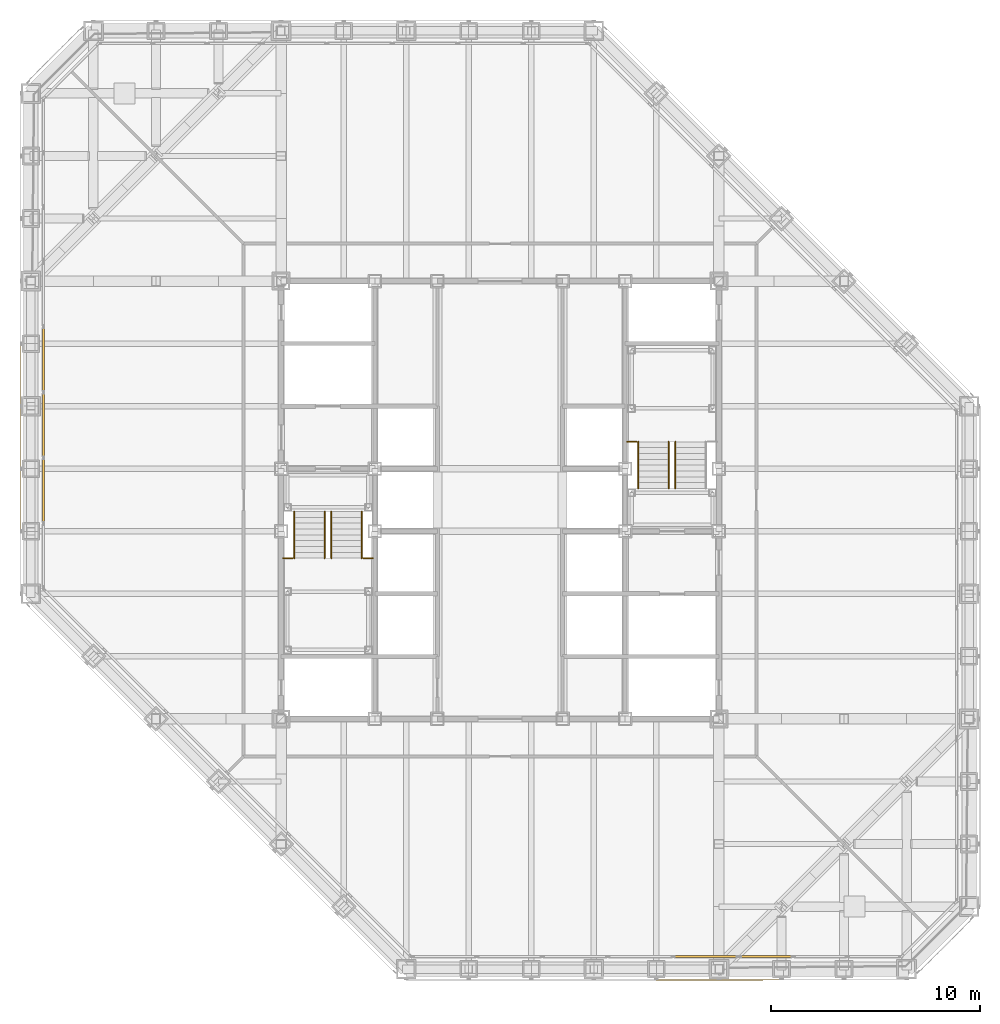
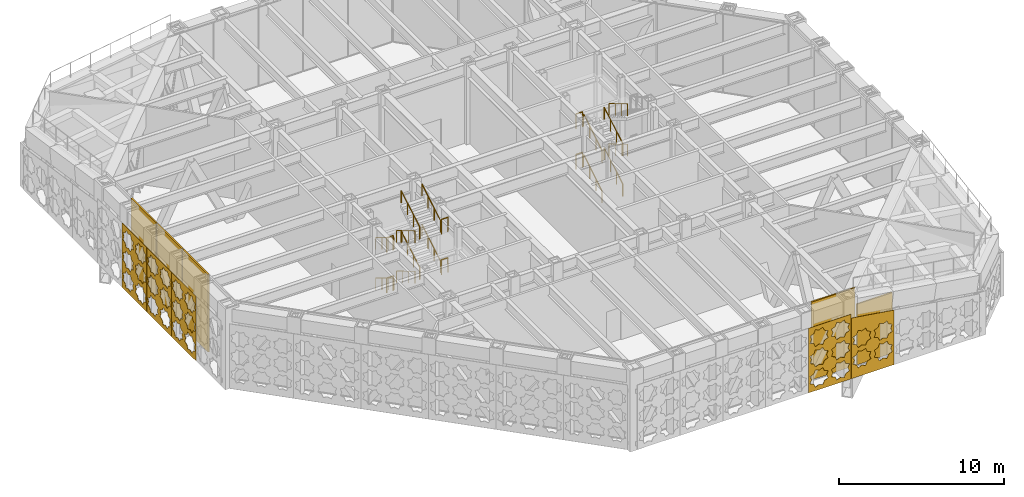
# One storey, part 23 of 28: 20 railings, 5 coverings, 5 shading devices, 3 elements without a shape of their own.
"""IFC4 building model written with IfcOpenShell, lengths in metres."""

from ifc_helpers import new_model, si_unit, direction, frame, origin, origin_2d, place, context, subcontext, project, spatial, polyline, rectangle, circle, outline, extrude, material, layer, layer_set, type_object, element, aggregate, save


model = new_model("IFC4")

# Units and contexts
model_context = context("Model", 3, precision=1e-05, world=origin(), true_north=direction((0.0, 1.0)))
body_context = subcontext(model_context, "Body", "Model", "MODEL_VIEW")
ifc_project = project(units=[si_unit("LENGTHUNIT", "METRE"), si_unit("AREAUNIT", "SQUARE_METRE"), si_unit("VOLUMEUNIT", "CUBIC_METRE"), si_unit("PLANEANGLEUNIT", "RADIAN"), si_unit("MASSUNIT", "GRAM", prefix="KILO")], contexts=[model_context])

# Site, building, storey
site_placement = place(None, origin())
site = spatial("IfcSite", under=ifc_project, at=site_placement, CompositionType="ELEMENT")
building_placement = place(site_placement, origin())
building = spatial("IfcBuilding", under=site, at=building_placement, Name="Chuquiago Exchange Tower", CompositionType="ELEMENT")
storey_placement = place(building_placement, frame((0.0, 0.0, 174.0)))
storey = spatial("IfcBuildingStorey", under=building, at=storey_placement, Name="L38", CompositionType="ELEMENT", Elevation=174.0)

# Curtain wall, shading device
ifc_material_1 = material(Name="Aluminium curtain wall system", Category="aluminium")
ifc_layer_1 = layer(ifc_material_1, 0.199951171875)
ifc_layer_set_1 = layer_set([ifc_layer_1], Name="CW6 plant floor louvre wall")
curtain_wall_type = type_object("IfcCurtainWallType", Name="CW6 plant floor louvre wall", PredefinedType="NOTDEFINED", material=ifc_layer_set_1)
curtain_wall_1_placement = place(storey_placement, origin())
curtain_wall_1 = element("IfcCurtainWall", 1, at=curtain_wall_1_placement, inside=storey, type_object=curtain_wall_type, Name="CW6 curtain wall L38", PredefinedType="NOTDEFINED")
ifc_material_2 = material(Name="Aluminium louvre", Category="aluminium")
ifc_layer_2 = layer(ifc_material_2, 0.10009765625)
ifc_layer_set_2 = layer_set([ifc_layer_2], Name="CW6-P louvre panel 100")
shading_device_type = type_object("IfcShadingDeviceType", Name="CW6-P louvre panel 100", PredefinedType="USERDEFINED", material=ifc_layer_set_2)
shading_device_1_placement = place(storey_placement, frame((32.3642578125, 0.60009765625, 0.0751953125), z_axis=(0.0, 0.0, 1.0), x_axis=(1.0, 0.0, 0.0)))
shading_device_1 = element("IfcShadingDevice", 2, at=shading_device_1_placement, type_object=shading_device_type, Name="CW6 panel 5.1", ObjectType="LOUVER", PredefinedType="USERDEFINED", context=body_context, shape_type="SweptSolid", body=[
    extrude(rectangle(XDim=3.028564453125, YDim=0.10009765625, at=origin_2d()), origin(), (0.0, 0.0, 1.0), 5.764892578125),
])
aggregate(curtain_wall_1, [shading_device_1])

curtain_wall_2_placement = place(storey_placement, origin())
curtain_wall_2 = element("IfcCurtainWall", 3, at=curtain_wall_2_placement, inside=storey, type_object=curtain_wall_type, Name="CW6 curtain wall L38", PredefinedType="NOTDEFINED")
shading_device_2_placement = place(storey_placement, frame((35.27197265625, 0.60009765625, 0.0751953125), z_axis=(0.0, 0.0, 1.0), x_axis=(1.0, 0.0, 0.0)))
shading_device_2 = element("IfcShadingDevice", 4, at=shading_device_2_placement, type_object=shading_device_type, Name="CW6 panel 1.1", ObjectType="LOUVER", PredefinedType="USERDEFINED", context=body_context, shape_type="SweptSolid", body=[
    extrude(rectangle(XDim=2.48681640625, YDim=0.10009765625, at=origin_2d()), origin(), (0.0, 0.0, 1.0), 4.495361328125),
])
aggregate(curtain_wall_2, [shading_device_2])

# Curtain wall, shading devices
curtain_wall_3_placement = place(storey_placement, origin())
curtain_wall_3 = element("IfcCurtainWall", 5, at=curtain_wall_3_placement, inside=storey, type_object=curtain_wall_type, Name="CW6 curtain wall L38", PredefinedType="NOTDEFINED")
shading_device_3_placement = place(storey_placement, frame((0.60009765625, 29.2421875, 0.0751953125), z_axis=(0.0, 0.0, 1.0), x_axis=(0.0, -1.0, 0.0)))
shading_device_3 = element("IfcShadingDevice", 6, at=shading_device_3_placement, type_object=shading_device_type, Name="CW6 panel 2.1", ObjectType="LOUVER", PredefinedType="USERDEFINED", context=body_context, shape_type="SweptSolid", body=[
    extrude(rectangle(XDim=3.06591796875, YDim=0.10009765625, at=origin_2d()), origin(), (0.0, 0.0, 1.0), 5.764892578125),
])
shading_device_4_placement = place(storey_placement, frame((0.60009765625, 26.10107421875, 0.0751953125), z_axis=(0.0, 0.0, 1.0), x_axis=(0.0, -1.0, 0.0)))
shading_device_4 = element("IfcShadingDevice", 7, at=shading_device_4_placement, type_object=shading_device_type, Name="CW6 panel 3.1", ObjectType="LOUVER", PredefinedType="USERDEFINED", context=body_context, shape_type="SweptSolid", body=[
    extrude(rectangle(XDim=3.06591796875, YDim=0.10009765625, at=origin_2d()), origin(), (0.0, 0.0, 1.0), 5.764892578125),
])
shading_device_5_placement = place(storey_placement, frame((0.60009765625, 22.9599609375, 0.0751953125), z_axis=(0.0, 0.0, 1.0), x_axis=(0.0, -1.0, 0.0)))
shading_device_5 = element("IfcShadingDevice", 8, at=shading_device_5_placement, type_object=shading_device_type, Name="CW6 panel 4.1", ObjectType="LOUVER", PredefinedType="USERDEFINED", context=body_context, shape_type="SweptSolid", body=[
    extrude(rectangle(XDim=3.06591796875, YDim=0.10009765625, at=origin_2d()), origin(), (0.0, 0.0, 1.0), 5.764892578125),
])
aggregate(curtain_wall_3, [shading_device_3, shading_device_4, shading_device_5])

# Coverings
ifc_material_3 = material(Name="Anodised aluminium, pale", Category="aluminium")
ifc_layer_3 = layer(ifc_material_3, 0.02001953125)
ifc_layer_set_3 = layer_set([ifc_layer_3], Name="GC1 girih cladding panel 20")
covering_type = type_object("IfcCoveringType", Name="GC1 girih cladding panel 20", PredefinedType="CLADDING", material=ifc_layer_set_3)
covering_1_placement = place(storey_placement, frame((30.0048828125, -0.5, 0.050048828125), z_axis=(0.0, 0.0, 1.0), x_axis=(1.0, 0.0, 0.0)))
element("IfcCovering", 9, at=covering_1_placement, inside=storey, type_object=covering_type, Name="Girih cladding panel L38 S 5", PredefinedType="CLADDING", context=body_context, shape_type="SweptSolid", body=[
    extrude(outline(polyline([(0.0, 0.0), (2.989990234375, 0.0), (2.989990234375, 4.7900390625), (0.0, 4.7900390625), (0.0, 0.0)]), holes=[polyline([(1.27392578125, 0.89990234375), (1.3828125, 1.1630859375), (1.11962890625, 1.272216796875), (1.0107421875, 1.535400390625), (0.74755859375, 1.42626953125), (0.484375, 1.535400390625), (0.375244140625, 1.272216796875), (0.112060546875, 1.1630859375), (0.22119140625, 0.89990234375), (0.112060546875, 0.63671875), (0.375244140625, 0.52783203125), (0.484375, 0.2646484375), (0.74755859375, 0.37353515625), (1.0107421875, 0.2646484375), (1.11962890625, 0.52783203125), (1.3828125, 0.63671875), (1.27392578125, 0.89990234375)]), polyline([(2.768798828125, 0.89990234375), (2.8779296875, 1.1630859375), (2.61474609375, 1.272216796875), (2.505615234375, 1.535400390625), (2.242431640625, 1.42626953125), (1.979248046875, 1.535400390625), (1.870361328125, 1.272216796875), (1.607177734375, 1.1630859375), (1.716064453125, 0.89990234375), (1.607177734375, 0.63671875), (1.870361328125, 0.52783203125), (1.979248046875, 0.2646484375), (2.242431640625, 0.37353515625), (2.505615234375, 0.2646484375), (2.61474609375, 0.52783203125), (2.8779296875, 0.63671875), (2.768798828125, 0.89990234375)]), polyline([(1.27392578125, 2.39501953125), (1.3828125, 2.658203125), (1.11962890625, 2.76708984375), (1.0107421875, 3.0302734375), (0.74755859375, 2.92138671875), (0.484375, 3.0302734375), (0.375244140625, 2.76708984375), (0.112060546875, 2.658203125), (0.22119140625, 2.39501953125), (0.112060546875, 2.1318359375), (0.375244140625, 2.022705078125), (0.484375, 1.759521484375), (0.74755859375, 1.86865234375), (1.0107421875, 1.759521484375), (1.11962890625, 2.022705078125), (1.3828125, 2.1318359375), (1.27392578125, 2.39501953125)]), polyline([(2.768798828125, 2.39501953125), (2.8779296875, 2.658203125), (2.61474609375, 2.76708984375), (2.505615234375, 3.0302734375), (2.242431640625, 2.92138671875), (1.979248046875, 3.0302734375), (1.870361328125, 2.76708984375), (1.607177734375, 2.658203125), (1.716064453125, 2.39501953125), (1.607177734375, 2.1318359375), (1.870361328125, 2.022705078125), (1.979248046875, 1.759521484375), (2.242431640625, 1.86865234375), (2.505615234375, 1.759521484375), (2.61474609375, 2.022705078125), (2.8779296875, 2.1318359375), (2.768798828125, 2.39501953125)]), polyline([(1.27392578125, 3.889892578125), (1.3828125, 4.153076171875), (1.11962890625, 4.26220703125), (1.0107421875, 4.525390625), (0.74755859375, 4.416259765625), (0.484375, 4.525390625), (0.375244140625, 4.26220703125), (0.112060546875, 4.153076171875), (0.22119140625, 3.889892578125), (0.112060546875, 3.626708984375), (0.375244140625, 3.517822265625), (0.484375, 3.254638671875), (0.74755859375, 3.363525390625), (1.0107421875, 3.254638671875), (1.11962890625, 3.517822265625), (1.3828125, 3.626708984375), (1.27392578125, 3.889892578125)]), polyline([(2.768798828125, 3.889892578125), (2.8779296875, 4.153076171875), (2.61474609375, 4.26220703125), (2.505615234375, 4.525390625), (2.242431640625, 4.416259765625), (1.979248046875, 4.525390625), (1.870361328125, 4.26220703125), (1.607177734375, 4.153076171875), (1.716064453125, 3.889892578125), (1.607177734375, 3.626708984375), (1.870361328125, 3.517822265625), (1.979248046875, 3.254638671875), (2.242431640625, 3.363525390625), (2.505615234375, 3.254638671875), (2.61474609375, 3.517822265625), (2.8779296875, 3.626708984375), (2.768798828125, 3.889892578125)])]), frame((0.0, 0.0, 0.0), z_axis=(0.0, -1.0, 0.0), x_axis=(1.0, 0.0, 0.0)), (0.0, 0.0, 1.0), 0.02001953125),
])
covering_2_placement = place(storey_placement, frame((33.0048828125, -0.5, 0.050048828125), z_axis=(0.0, 0.0, 1.0), x_axis=(1.0, 0.0, 0.0)))
element("IfcCovering", 10, at=covering_2_placement, inside=storey, type_object=covering_type, Name="Girih cladding panel L38 S 6", PredefinedType="CLADDING", context=body_context, shape_type="SweptSolid", body=[
    extrude(outline(polyline([(0.0, 0.0), (2.989990234375, 0.0), (2.989990234375, 4.0498046875), (0.0, 4.499267578125), (0.0, 0.0)]), holes=[polyline([(1.27392578125, 1.27734375), (1.3828125, 1.54052734375), (1.11962890625, 1.649658203125), (1.0107421875, 1.912841796875), (0.74755859375, 1.8037109375), (0.484375, 1.912841796875), (0.375244140625, 1.649658203125), (0.112060546875, 1.54052734375), (0.22119140625, 1.27734375), (0.112060546875, 1.01416015625), (0.375244140625, 0.9052734375), (0.484375, 0.64208984375), (0.74755859375, 0.7509765625), (1.0107421875, 0.64208984375), (1.11962890625, 0.9052734375), (1.3828125, 1.01416015625), (1.27392578125, 1.27734375)]), polyline([(2.768798828125, 1.27734375), (2.8779296875, 1.54052734375), (2.61474609375, 1.649658203125), (2.505615234375, 1.912841796875), (2.242431640625, 1.8037109375), (1.979248046875, 1.912841796875), (1.870361328125, 1.649658203125), (1.607177734375, 1.54052734375), (1.716064453125, 1.27734375), (1.607177734375, 1.01416015625), (1.870361328125, 0.9052734375), (1.979248046875, 0.64208984375), (2.242431640625, 0.7509765625), (2.505615234375, 0.64208984375), (2.61474609375, 0.9052734375), (2.8779296875, 1.01416015625), (2.768798828125, 1.27734375)]), polyline([(1.27392578125, 2.7724609375), (1.3828125, 3.03564453125), (1.11962890625, 3.14453125), (1.0107421875, 3.40771484375), (0.74755859375, 3.298828125), (0.484375, 3.40771484375), (0.375244140625, 3.14453125), (0.112060546875, 3.03564453125), (0.22119140625, 2.7724609375), (0.112060546875, 2.50927734375), (0.375244140625, 2.400146484375), (0.484375, 2.136962890625), (0.74755859375, 2.24609375), (1.0107421875, 2.136962890625), (1.11962890625, 2.400146484375), (1.3828125, 2.50927734375), (1.27392578125, 2.7724609375)]), polyline([(2.768798828125, 2.7724609375), (2.8779296875, 3.03564453125), (2.61474609375, 3.14453125), (2.505615234375, 3.40771484375), (2.242431640625, 3.298828125), (1.979248046875, 3.40771484375), (1.870361328125, 3.14453125), (1.607177734375, 3.03564453125), (1.716064453125, 2.7724609375), (1.607177734375, 2.50927734375), (1.870361328125, 2.400146484375), (1.979248046875, 2.136962890625), (2.242431640625, 2.24609375), (2.505615234375, 2.136962890625), (2.61474609375, 2.400146484375), (2.8779296875, 2.50927734375), (2.768798828125, 2.7724609375)])]), frame((0.0, 0.0, 0.0), z_axis=(0.0, -1.0, 0.0), x_axis=(1.0, 0.0, 0.0)), (0.0, 0.0, 1.0), 0.02001953125),
])
covering_3_placement = place(storey_placement, frame((-0.5, 29.9951171875, 0.050048828125), z_axis=(0.0, 0.0, 1.0), x_axis=(0.0, -1.0, 0.0)))
element("IfcCovering", 11, at=covering_3_placement, inside=storey, type_object=covering_type, Name="Girih cladding panel L38 W 5", PredefinedType="CLADDING", context=body_context, shape_type="SweptSolid", body=[
    extrude(outline(polyline([(0.0, 0.0), (2.989990234375, 0.0), (2.989990234375, 4.7900390625), (0.0, 4.7900390625), (0.0, 0.0)]), holes=[polyline([(1.27392578125, 0.89990234375), (1.3828125, 1.1630859375), (1.11962890625, 1.272216796875), (1.0107421875, 1.535400390625), (0.74755859375, 1.42626953125), (0.484375, 1.535400390625), (0.375244140625, 1.272216796875), (0.112060546875, 1.1630859375), (0.22119140625, 0.89990234375), (0.112060546875, 0.63671875), (0.375244140625, 0.52783203125), (0.484375, 0.2646484375), (0.74755859375, 0.37353515625), (1.0107421875, 0.2646484375), (1.11962890625, 0.52783203125), (1.3828125, 0.63671875), (1.27392578125, 0.89990234375)]), polyline([(2.768798828125, 0.89990234375), (2.8779296875, 1.1630859375), (2.61474609375, 1.272216796875), (2.505615234375, 1.535400390625), (2.242431640625, 1.42626953125), (1.979248046875, 1.535400390625), (1.870361328125, 1.272216796875), (1.607177734375, 1.1630859375), (1.716064453125, 0.89990234375), (1.607177734375, 0.63671875), (1.870361328125, 0.52783203125), (1.979248046875, 0.2646484375), (2.242431640625, 0.37353515625), (2.505615234375, 0.2646484375), (2.61474609375, 0.52783203125), (2.8779296875, 0.63671875), (2.768798828125, 0.89990234375)]), polyline([(1.27392578125, 2.39501953125), (1.3828125, 2.658203125), (1.11962890625, 2.76708984375), (1.0107421875, 3.0302734375), (0.74755859375, 2.92138671875), (0.484375, 3.0302734375), (0.375244140625, 2.76708984375), (0.112060546875, 2.658203125), (0.22119140625, 2.39501953125), (0.112060546875, 2.1318359375), (0.375244140625, 2.022705078125), (0.484375, 1.759521484375), (0.74755859375, 1.86865234375), (1.0107421875, 1.759521484375), (1.11962890625, 2.022705078125), (1.3828125, 2.1318359375), (1.27392578125, 2.39501953125)]), polyline([(2.768798828125, 2.39501953125), (2.8779296875, 2.658203125), (2.61474609375, 2.76708984375), (2.505615234375, 3.0302734375), (2.242431640625, 2.92138671875), (1.979248046875, 3.0302734375), (1.870361328125, 2.76708984375), (1.607177734375, 2.658203125), (1.716064453125, 2.39501953125), (1.607177734375, 2.1318359375), (1.870361328125, 2.022705078125), (1.979248046875, 1.759521484375), (2.242431640625, 1.86865234375), (2.505615234375, 1.759521484375), (2.61474609375, 2.022705078125), (2.8779296875, 2.1318359375), (2.768798828125, 2.39501953125)]), polyline([(1.27392578125, 3.889892578125), (1.3828125, 4.153076171875), (1.11962890625, 4.26220703125), (1.0107421875, 4.525390625), (0.74755859375, 4.416259765625), (0.484375, 4.525390625), (0.375244140625, 4.26220703125), (0.112060546875, 4.153076171875), (0.22119140625, 3.889892578125), (0.112060546875, 3.626708984375), (0.375244140625, 3.517822265625), (0.484375, 3.254638671875), (0.74755859375, 3.363525390625), (1.0107421875, 3.254638671875), (1.11962890625, 3.517822265625), (1.3828125, 3.626708984375), (1.27392578125, 3.889892578125)]), polyline([(2.768798828125, 3.889892578125), (2.8779296875, 4.153076171875), (2.61474609375, 4.26220703125), (2.505615234375, 4.525390625), (2.242431640625, 4.416259765625), (1.979248046875, 4.525390625), (1.870361328125, 4.26220703125), (1.607177734375, 4.153076171875), (1.716064453125, 3.889892578125), (1.607177734375, 3.626708984375), (1.870361328125, 3.517822265625), (1.979248046875, 3.254638671875), (2.242431640625, 3.363525390625), (2.505615234375, 3.254638671875), (2.61474609375, 3.517822265625), (2.8779296875, 3.626708984375), (2.768798828125, 3.889892578125)])]), frame((0.0, 0.0, 0.0), z_axis=(0.0, -1.0, 0.0), x_axis=(1.0, 0.0, 0.0)), (0.0, 0.0, 1.0), 0.02001953125),
])
covering_4_placement = place(storey_placement, frame((-0.5, 26.9951171875, 0.050048828125), z_axis=(0.0, 0.0, 1.0), x_axis=(0.0, -1.0, 0.0)))
element("IfcCovering", 12, at=covering_4_placement, inside=storey, type_object=covering_type, Name="Girih cladding panel L38 W 6", PredefinedType="CLADDING", context=body_context, shape_type="SweptSolid", body=[
    extrude(outline(polyline([(0.0, 0.0), (2.989990234375, 0.0), (2.989990234375, 4.7900390625), (0.0, 4.7900390625), (0.0, 0.0)]), holes=[polyline([(1.27392578125, 0.89990234375), (1.3828125, 1.1630859375), (1.11962890625, 1.272216796875), (1.0107421875, 1.535400390625), (0.74755859375, 1.42626953125), (0.484375, 1.535400390625), (0.375244140625, 1.272216796875), (0.112060546875, 1.1630859375), (0.22119140625, 0.89990234375), (0.112060546875, 0.63671875), (0.375244140625, 0.52783203125), (0.484375, 0.2646484375), (0.74755859375, 0.37353515625), (1.0107421875, 0.2646484375), (1.11962890625, 0.52783203125), (1.3828125, 0.63671875), (1.27392578125, 0.89990234375)]), polyline([(2.768798828125, 0.89990234375), (2.8779296875, 1.1630859375), (2.61474609375, 1.272216796875), (2.505615234375, 1.535400390625), (2.242431640625, 1.42626953125), (1.979248046875, 1.535400390625), (1.870361328125, 1.272216796875), (1.607177734375, 1.1630859375), (1.716064453125, 0.89990234375), (1.607177734375, 0.63671875), (1.870361328125, 0.52783203125), (1.979248046875, 0.2646484375), (2.242431640625, 0.37353515625), (2.505615234375, 0.2646484375), (2.61474609375, 0.52783203125), (2.8779296875, 0.63671875), (2.768798828125, 0.89990234375)]), polyline([(1.27392578125, 2.39501953125), (1.3828125, 2.658203125), (1.11962890625, 2.76708984375), (1.0107421875, 3.0302734375), (0.74755859375, 2.92138671875), (0.484375, 3.0302734375), (0.375244140625, 2.76708984375), (0.112060546875, 2.658203125), (0.22119140625, 2.39501953125), (0.112060546875, 2.1318359375), (0.375244140625, 2.022705078125), (0.484375, 1.759521484375), (0.74755859375, 1.86865234375), (1.0107421875, 1.759521484375), (1.11962890625, 2.022705078125), (1.3828125, 2.1318359375), (1.27392578125, 2.39501953125)]), polyline([(2.768798828125, 2.39501953125), (2.8779296875, 2.658203125), (2.61474609375, 2.76708984375), (2.505615234375, 3.0302734375), (2.242431640625, 2.92138671875), (1.979248046875, 3.0302734375), (1.870361328125, 2.76708984375), (1.607177734375, 2.658203125), (1.716064453125, 2.39501953125), (1.607177734375, 2.1318359375), (1.870361328125, 2.022705078125), (1.979248046875, 1.759521484375), (2.242431640625, 1.86865234375), (2.505615234375, 1.759521484375), (2.61474609375, 2.022705078125), (2.8779296875, 2.1318359375), (2.768798828125, 2.39501953125)]), polyline([(1.27392578125, 3.889892578125), (1.3828125, 4.153076171875), (1.11962890625, 4.26220703125), (1.0107421875, 4.525390625), (0.74755859375, 4.416259765625), (0.484375, 4.525390625), (0.375244140625, 4.26220703125), (0.112060546875, 4.153076171875), (0.22119140625, 3.889892578125), (0.112060546875, 3.626708984375), (0.375244140625, 3.517822265625), (0.484375, 3.254638671875), (0.74755859375, 3.363525390625), (1.0107421875, 3.254638671875), (1.11962890625, 3.517822265625), (1.3828125, 3.626708984375), (1.27392578125, 3.889892578125)]), polyline([(2.768798828125, 3.889892578125), (2.8779296875, 4.153076171875), (2.61474609375, 4.26220703125), (2.505615234375, 4.525390625), (2.242431640625, 4.416259765625), (1.979248046875, 4.525390625), (1.870361328125, 4.26220703125), (1.607177734375, 4.153076171875), (1.716064453125, 3.889892578125), (1.607177734375, 3.626708984375), (1.870361328125, 3.517822265625), (1.979248046875, 3.254638671875), (2.242431640625, 3.363525390625), (2.505615234375, 3.254638671875), (2.61474609375, 3.517822265625), (2.8779296875, 3.626708984375), (2.768798828125, 3.889892578125)])]), frame((0.0, 0.0, 0.0), z_axis=(0.0, -1.0, 0.0), x_axis=(1.0, 0.0, 0.0)), (0.0, 0.0, 1.0), 0.02001953125),
])
covering_5_placement = place(storey_placement, frame((-0.5, 23.9951171875, 0.050048828125), z_axis=(0.0, 0.0, 1.0), x_axis=(0.0, -1.0, 0.0)))
element("IfcCovering", 13, at=covering_5_placement, inside=storey, type_object=covering_type, Name="Girih cladding panel L38 W 7", PredefinedType="CLADDING", context=body_context, shape_type="SweptSolid", body=[
    extrude(outline(polyline([(0.0, 0.0), (2.989990234375, 0.0), (2.989990234375, 4.7900390625), (0.0, 4.7900390625), (0.0, 0.0)]), holes=[polyline([(1.27392578125, 0.89990234375), (1.3828125, 1.1630859375), (1.11962890625, 1.272216796875), (1.0107421875, 1.535400390625), (0.74755859375, 1.42626953125), (0.484375, 1.535400390625), (0.375244140625, 1.272216796875), (0.112060546875, 1.1630859375), (0.22119140625, 0.89990234375), (0.112060546875, 0.63671875), (0.375244140625, 0.52783203125), (0.484375, 0.2646484375), (0.74755859375, 0.37353515625), (1.0107421875, 0.2646484375), (1.11962890625, 0.52783203125), (1.3828125, 0.63671875), (1.27392578125, 0.89990234375)]), polyline([(2.768798828125, 0.89990234375), (2.8779296875, 1.1630859375), (2.61474609375, 1.272216796875), (2.505615234375, 1.535400390625), (2.242431640625, 1.42626953125), (1.979248046875, 1.535400390625), (1.870361328125, 1.272216796875), (1.607177734375, 1.1630859375), (1.716064453125, 0.89990234375), (1.607177734375, 0.63671875), (1.870361328125, 0.52783203125), (1.979248046875, 0.2646484375), (2.242431640625, 0.37353515625), (2.505615234375, 0.2646484375), (2.61474609375, 0.52783203125), (2.8779296875, 0.63671875), (2.768798828125, 0.89990234375)]), polyline([(1.27392578125, 2.39501953125), (1.3828125, 2.658203125), (1.11962890625, 2.76708984375), (1.0107421875, 3.0302734375), (0.74755859375, 2.92138671875), (0.484375, 3.0302734375), (0.375244140625, 2.76708984375), (0.112060546875, 2.658203125), (0.22119140625, 2.39501953125), (0.112060546875, 2.1318359375), (0.375244140625, 2.022705078125), (0.484375, 1.759521484375), (0.74755859375, 1.86865234375), (1.0107421875, 1.759521484375), (1.11962890625, 2.022705078125), (1.3828125, 2.1318359375), (1.27392578125, 2.39501953125)]), polyline([(2.768798828125, 2.39501953125), (2.8779296875, 2.658203125), (2.61474609375, 2.76708984375), (2.505615234375, 3.0302734375), (2.242431640625, 2.92138671875), (1.979248046875, 3.0302734375), (1.870361328125, 2.76708984375), (1.607177734375, 2.658203125), (1.716064453125, 2.39501953125), (1.607177734375, 2.1318359375), (1.870361328125, 2.022705078125), (1.979248046875, 1.759521484375), (2.242431640625, 1.86865234375), (2.505615234375, 1.759521484375), (2.61474609375, 2.022705078125), (2.8779296875, 2.1318359375), (2.768798828125, 2.39501953125)]), polyline([(1.27392578125, 3.889892578125), (1.3828125, 4.153076171875), (1.11962890625, 4.26220703125), (1.0107421875, 4.525390625), (0.74755859375, 4.416259765625), (0.484375, 4.525390625), (0.375244140625, 4.26220703125), (0.112060546875, 4.153076171875), (0.22119140625, 3.889892578125), (0.112060546875, 3.626708984375), (0.375244140625, 3.517822265625), (0.484375, 3.254638671875), (0.74755859375, 3.363525390625), (1.0107421875, 3.254638671875), (1.11962890625, 3.517822265625), (1.3828125, 3.626708984375), (1.27392578125, 3.889892578125)]), polyline([(2.768798828125, 3.889892578125), (2.8779296875, 4.153076171875), (2.61474609375, 4.26220703125), (2.505615234375, 4.525390625), (2.242431640625, 4.416259765625), (1.979248046875, 4.525390625), (1.870361328125, 4.26220703125), (1.607177734375, 4.153076171875), (1.716064453125, 3.889892578125), (1.607177734375, 3.626708984375), (1.870361328125, 3.517822265625), (1.979248046875, 3.254638671875), (2.242431640625, 3.363525390625), (2.505615234375, 3.254638671875), (2.61474609375, 3.517822265625), (2.8779296875, 3.626708984375), (2.768798828125, 3.889892578125)])]), frame((0.0, 0.0, 0.0), z_axis=(0.0, -1.0, 0.0), x_axis=(1.0, 0.0, 0.0)), (0.0, 0.0, 1.0), 0.02001953125),
])

# Railings
ifc_material_4 = material(Name="Pale metal guard with safety glass infill", Category="glass")
railing_type_1 = type_object("IfcRailingType", Name="GR1 guard 1100", PredefinedType="GUARDRAIL", material=ifc_material_4)
for number, where, name in (
    (14, (12.10009765625, 19.7099609375, 1.5), "Guard ST1 L38 landing 2"),
    (15, (15.945068359375, 19.7099609375, 1.5), "Guard ST1 L38 landing 2"),
    (16, (12.10009765625, 19.7099609375, 4.5), "Guard ST1 L38 landing 4"),
    (17, (15.945068359375, 19.7099609375, 4.5), "Guard ST1 L38 landing 4"),
    (18, (28.60009765625, 25.2900390625, 1.5), "Guard ST2 L38 landing 2"),
    (19, (28.60009765625, 25.2900390625, 4.5), "Guard ST2 L38 landing 4"),
):
    element("IfcRailing", number, at=place(storey_placement, frame(where)), inside=storey, type_object=railing_type_1, Name=name, PredefinedType="GUARDRAIL", context=body_context, shape_type="SweptSolid", body=[
        extrude(circle(Radius=0.02392578125, at=origin_2d()), frame((0.0, 0.0, 1.076171875), z_axis=(1.0, 0.0, 0.0), x_axis=(0.0, 1.0, 0.0)), (0.0, 0.0, 1.0), 0.454833984375),
        extrude(circle(Radius=0.02099609375, at=origin_2d()), origin(), (0.0, 0.0, 1.0), 1.052001953125),
        extrude(circle(Radius=0.02099609375, at=origin_2d()), frame((0.454833984375, 0.0, 0.0)), (0.0, 0.0, 1.0), 1.052001953125),
    ])
ifc_material_5 = material(Name="Pale metal handrail", Category="steel")
railing_type_2 = type_object("IfcRailingType", Name="HR1 handrail 900", PredefinedType="HANDRAIL", material=ifc_material_5)
for number, where, name in (
    (20, (12.635009765625, 21.949951171875, 0.166748046875), "Handrail ST1 L38 flight 1"),
    (21, (14.0849609375, 21.949951171875, 0.166748046875), "Handrail ST1 L38 flight 1"),
):
    element("IfcRailing", number, at=place(storey_placement, frame(where)), inside=storey, type_object=railing_type_2, Name=name, PredefinedType="HANDRAIL", context=body_context, shape_type="SweptSolid", body=[
        extrude(circle(Radius=0.02392578125, at=origin_2d()), frame((0.0, 0.0, 0.8759765625), z_axis=(0.0, -0.859305625298, 0.511462454469), x_axis=(1.0, 0.0, 0.0)), (0.0, 0.0, 1.0), 2.606689453125),
        extrude(circle(Radius=0.02099609375, at=origin_2d()), origin(), (0.0, 0.0, 1.0), 0.851806640625),
        extrude(circle(Radius=0.02099609375, at=origin_2d()), frame((0.0, -0.74658203125, 0.4443359375)), (0.0, 0.0, 1.0), 0.851806640625),
        extrude(circle(Radius=0.02099609375, at=origin_2d()), frame((0.0, -1.493408203125, 0.888916015625)), (0.0, 0.0, 1.0), 0.851806640625),
        extrude(circle(Radius=0.02099609375, at=origin_2d()), frame((0.0, -2.239990234375, 1.333251953125)), (0.0, 0.0, 1.0), 0.851806640625),
    ])
for number, where, name in (
    (22, (15.864990234375, 19.7099609375, 1.666748046875), "Handrail ST1 L38 flight 2"),
    (23, (14.4150390625, 19.7099609375, 1.666748046875), "Handrail ST1 L38 flight 2"),
):
    element("IfcRailing", number, at=place(storey_placement, frame(where)), inside=storey, type_object=railing_type_2, Name=name, PredefinedType="HANDRAIL", context=body_context, shape_type="SweptSolid", body=[
        extrude(circle(Radius=0.02392578125, at=origin_2d()), frame((0.0, 0.0, 0.8759765625), z_axis=(0.0, 0.859305625298, 0.511462454469), x_axis=(-1.0, 0.0, 0.0)), (0.0, 0.0, 1.0), 2.606689453125),
        extrude(circle(Radius=0.02099609375, at=origin_2d()), origin(), (0.0, 0.0, 1.0), 0.851806640625),
        extrude(circle(Radius=0.02099609375, at=origin_2d()), frame((0.0, 0.74658203125, 0.4443359375)), (0.0, 0.0, 1.0), 0.851806640625),
        extrude(circle(Radius=0.02099609375, at=origin_2d()), frame((0.0, 1.493408203125, 0.888916015625)), (0.0, 0.0, 1.0), 0.851806640625),
        extrude(circle(Radius=0.02099609375, at=origin_2d()), frame((0.0, 2.239990234375, 1.333251953125)), (0.0, 0.0, 1.0), 0.851806640625),
    ])
for number, where, name in (
    (24, (12.635009765625, 21.949951171875, 3.166748046875), "Handrail ST1 L38 flight 3"),
    (25, (14.0849609375, 21.949951171875, 3.166748046875), "Handrail ST1 L38 flight 3"),
):
    element("IfcRailing", number, at=place(storey_placement, frame(where)), inside=storey, type_object=railing_type_2, Name=name, PredefinedType="HANDRAIL", context=body_context, shape_type="SweptSolid", body=[
        extrude(circle(Radius=0.02392578125, at=origin_2d()), frame((0.0, 0.0, 0.8759765625), z_axis=(0.0, -0.859305625298, 0.511462454469), x_axis=(1.0, 0.0, 0.0)), (0.0, 0.0, 1.0), 2.606689453125),
        extrude(circle(Radius=0.02099609375, at=origin_2d()), origin(), (0.0, 0.0, 1.0), 0.851806640625),
        extrude(circle(Radius=0.02099609375, at=origin_2d()), frame((0.0, -0.74658203125, 0.4443359375)), (0.0, 0.0, 1.0), 0.851806640625),
        extrude(circle(Radius=0.02099609375, at=origin_2d()), frame((0.0, -1.493408203125, 0.888916015625)), (0.0, 0.0, 1.0), 0.851806640625),
        extrude(circle(Radius=0.02099609375, at=origin_2d()), frame((0.0, -2.239990234375, 1.333251953125)), (0.0, 0.0, 1.0), 0.851806640625),
    ])
for number, where, name in (
    (26, (15.864990234375, 19.7099609375, 4.666748046875), "Handrail ST1 L38 flight 4"),
    (27, (14.4150390625, 19.7099609375, 4.666748046875), "Handrail ST1 L38 flight 4"),
    (28, (30.5849609375, 23.050048828125, 0.166748046875), "Handrail ST2 L38 flight 1"),
    (29, (29.135009765625, 23.050048828125, 0.166748046875), "Handrail ST2 L38 flight 1"),
):
    element("IfcRailing", number, at=place(storey_placement, frame(where)), inside=storey, type_object=railing_type_2, Name=name, PredefinedType="HANDRAIL", context=body_context, shape_type="SweptSolid", body=[
        extrude(circle(Radius=0.02392578125, at=origin_2d()), frame((0.0, 0.0, 0.8759765625), z_axis=(0.0, 0.859305625298, 0.511462454469), x_axis=(-1.0, 0.0, 0.0)), (0.0, 0.0, 1.0), 2.606689453125),
        extrude(circle(Radius=0.02099609375, at=origin_2d()), origin(), (0.0, 0.0, 1.0), 0.851806640625),
        extrude(circle(Radius=0.02099609375, at=origin_2d()), frame((0.0, 0.74658203125, 0.4443359375)), (0.0, 0.0, 1.0), 0.851806640625),
        extrude(circle(Radius=0.02099609375, at=origin_2d()), frame((0.0, 1.493408203125, 0.888916015625)), (0.0, 0.0, 1.0), 0.851806640625),
        extrude(circle(Radius=0.02099609375, at=origin_2d()), frame((0.0, 2.239990234375, 1.333251953125)), (0.0, 0.0, 1.0), 0.851806640625),
    ])
railing_1_placement = place(storey_placement, frame((30.9150390625, 25.2900390625, 1.666748046875)))
element("IfcRailing", 30, at=railing_1_placement, inside=storey, type_object=railing_type_2, Name="Handrail ST2 L38 flight 2", PredefinedType="HANDRAIL", context=body_context, shape_type="SweptSolid", body=[
    extrude(circle(Radius=0.02392578125, at=origin_2d()), frame((0.0, 0.0, 0.8759765625), z_axis=(0.0, -0.859305625298, 0.511462454469), x_axis=(1.0, 0.0, 0.0)), (0.0, 0.0, 1.0), 2.606689453125),
    extrude(circle(Radius=0.02099609375, at=origin_2d()), origin(), (0.0, 0.0, 1.0), 0.851806640625),
    extrude(circle(Radius=0.02099609375, at=origin_2d()), frame((0.0, -0.74658203125, 0.4443359375)), (0.0, 0.0, 1.0), 0.851806640625),
    extrude(circle(Radius=0.02099609375, at=origin_2d()), frame((0.0, -1.493408203125, 0.888916015625)), (0.0, 0.0, 1.0), 0.851806640625),
    extrude(circle(Radius=0.02099609375, at=origin_2d()), frame((0.0, -2.239990234375, 1.333251953125)), (0.0, 0.0, 1.0), 0.851806640625),
])
for number, where, name in (
    (31, (30.5849609375, 23.050048828125, 3.166748046875), "Handrail ST2 L38 flight 3"),
    (32, (29.135009765625, 23.050048828125, 3.166748046875), "Handrail ST2 L38 flight 3"),
):
    element("IfcRailing", number, at=place(storey_placement, frame(where)), inside=storey, type_object=railing_type_2, Name=name, PredefinedType="HANDRAIL", context=body_context, shape_type="SweptSolid", body=[
        extrude(circle(Radius=0.02392578125, at=origin_2d()), frame((0.0, 0.0, 0.8759765625), z_axis=(0.0, 0.859305625298, 0.511462454469), x_axis=(-1.0, 0.0, 0.0)), (0.0, 0.0, 1.0), 2.606689453125),
        extrude(circle(Radius=0.02099609375, at=origin_2d()), origin(), (0.0, 0.0, 1.0), 0.851806640625),
        extrude(circle(Radius=0.02099609375, at=origin_2d()), frame((0.0, 0.74658203125, 0.4443359375)), (0.0, 0.0, 1.0), 0.851806640625),
        extrude(circle(Radius=0.02099609375, at=origin_2d()), frame((0.0, 1.493408203125, 0.888916015625)), (0.0, 0.0, 1.0), 0.851806640625),
        extrude(circle(Radius=0.02099609375, at=origin_2d()), frame((0.0, 2.239990234375, 1.333251953125)), (0.0, 0.0, 1.0), 0.851806640625),
    ])
railing_2_placement = place(storey_placement, frame((30.9150390625, 25.2900390625, 4.666748046875)))
element("IfcRailing", 33, at=railing_2_placement, inside=storey, type_object=railing_type_2, Name="Handrail ST2 L38 flight 4", PredefinedType="HANDRAIL", context=body_context, shape_type="SweptSolid", body=[
    extrude(circle(Radius=0.02392578125, at=origin_2d()), frame((0.0, 0.0, 0.8759765625), z_axis=(0.0, -0.859305625298, 0.511462454469), x_axis=(1.0, 0.0, 0.0)), (0.0, 0.0, 1.0), 2.606689453125),
    extrude(circle(Radius=0.02099609375, at=origin_2d()), origin(), (0.0, 0.0, 1.0), 0.851806640625),
    extrude(circle(Radius=0.02099609375, at=origin_2d()), frame((0.0, -0.74658203125, 0.4443359375)), (0.0, 0.0, 1.0), 0.851806640625),
    extrude(circle(Radius=0.02099609375, at=origin_2d()), frame((0.0, -1.493408203125, 0.888916015625)), (0.0, 0.0, 1.0), 0.851806640625),
    extrude(circle(Radius=0.02099609375, at=origin_2d()), frame((0.0, -2.239990234375, 1.333251953125)), (0.0, 0.0, 1.0), 0.851806640625),
])

save(model, "model.ifc")
